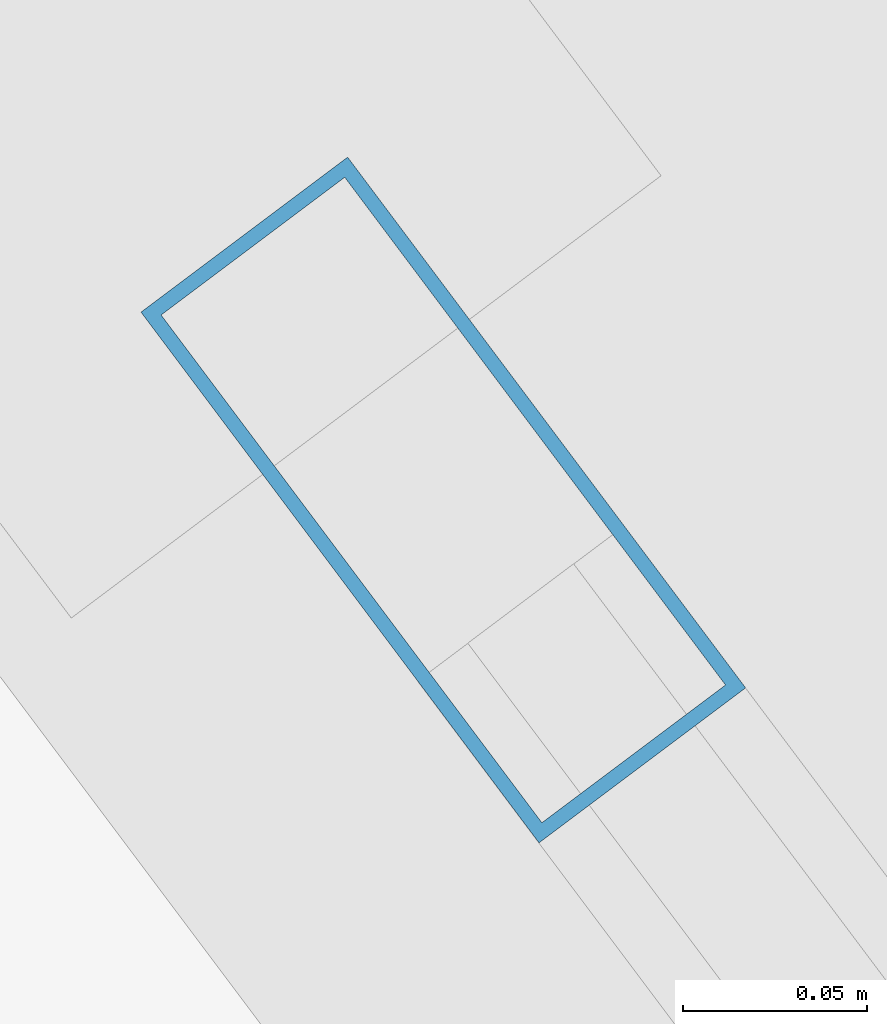
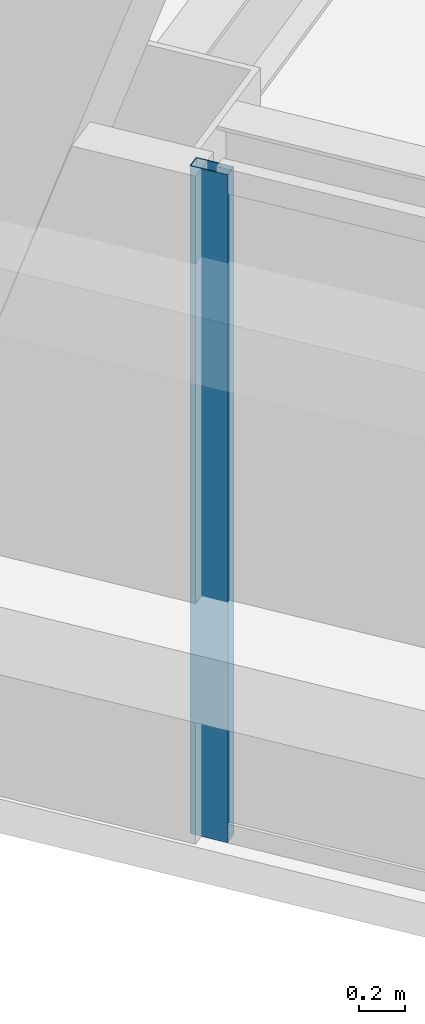
# One storey, part 23 of 55: 1 member, 1 element without a shape of its own.
"""IFC4 building model written with IfcOpenShell, lengths in metres."""

from ifc_helpers import new_model, si_unit, direction, frame, origin, origin_2d, place, context, subcontext, project, spatial, hollow_rectangle, extrude, material, material_profile, profile_set, type_object, element, aggregate, save


model = new_model("IFC4")

# Units and contexts
model_context = context("Model", 3, precision=1e-05, world=origin(), true_north=direction((0.0, 1.0)))
body_context = subcontext(model_context, "Body", "Model", "MODEL_VIEW")
ifc_project = project(units=[si_unit("LENGTHUNIT", "METRE"), si_unit("AREAUNIT", "SQUARE_METRE"), si_unit("VOLUMEUNIT", "CUBIC_METRE"), si_unit("PLANEANGLEUNIT", "RADIAN"), si_unit("MASSUNIT", "GRAM", prefix="KILO")], contexts=[model_context])

# Site, building, storey
site_placement = place(None, origin())
site = spatial("IfcSite", under=ifc_project, at=site_placement, CompositionType="ELEMENT")
building_placement = place(site_placement, origin())
building = spatial("IfcBuilding", under=site, at=building_placement, Name="Tashvorn Skyway Center", CompositionType="ELEMENT")
storey_placement = place(building_placement, frame((0.0, 0.0, 178.300048828125)))
storey = spatial("IfcBuildingStorey", under=building, at=storey_placement, Name="L48", CompositionType="ELEMENT", Elevation=178.300048828125)

# Curtain wall, member
ifc_material = material(Name="Thermally broken bronze-anodized aluminium 6063-T6", Category="aluminium")
curtain_wall_type = type_object("IfcCurtainWallType", Name="CW-CW-Z4", PredefinedType="NOTDEFINED", material=ifc_material)
curtain_wall_placement = place(storey_placement, origin())
curtain_wall = element("IfcCurtainWall", 1, at=curtain_wall_placement, inside=storey, type_object=curtain_wall_type, Name="Tower 2 L48 West Unitised Curtain Wall Glazing Group 2", PredefinedType="NOTDEFINED")
ifc_material_profile = material_profile(ifc_material, hollow_rectangle(XDim=0.070068359375, YDim=0.179931640625, WallThickness=0.00390625, at=origin_2d()), Name="ALU-MULL-70x180")
ifc_profile_set = profile_set([ifc_material_profile], Name="Thermally broken bronze-anodized aluminium 6063-T6")
member_type = type_object("IfcMemberType", Name="CWM-CW-Z4", PredefinedType="MULLION", material=ifc_profile_set)
member_placement = place(storey_placement, frame((97.680908203125, 25.7919921875, 0.0), z_axis=(0.0, 0.0, 1.0), x_axis=(-0.799999999998, -0.600000000002, 0.0)))
member = element("IfcMember", 2, at=member_placement, type_object=member_type, Name="CW-Z4 mullion 2", PredefinedType="MULLION", context=body_context, shape_type="SweptSolid", body=[
    extrude(hollow_rectangle(XDim=0.070068359375, YDim=0.179931640625, WallThickness=0.00390625, at=origin_2d()), origin(), (0.0, 0.0, 1.0), 3.550048828125),
])
aggregate(curtain_wall, [member])

save(model, "model.ifc")
